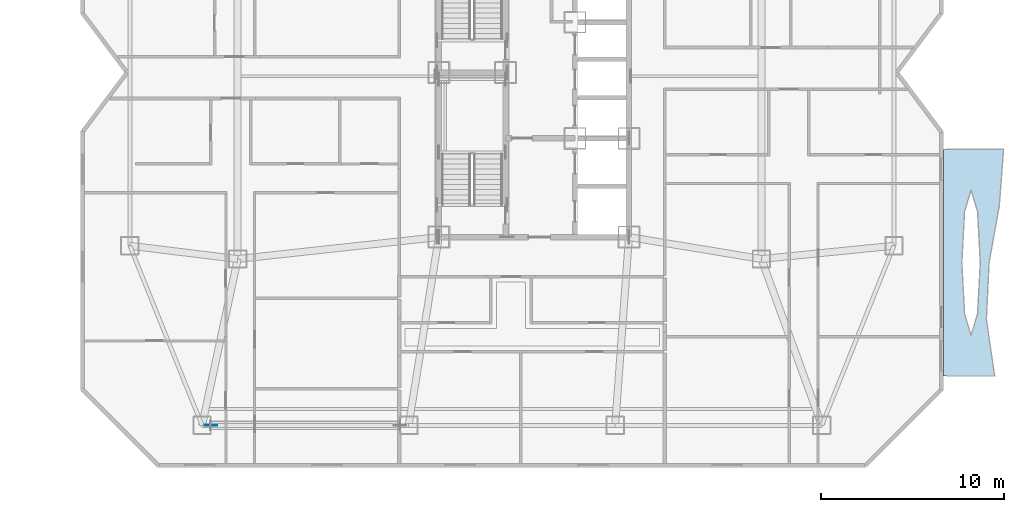
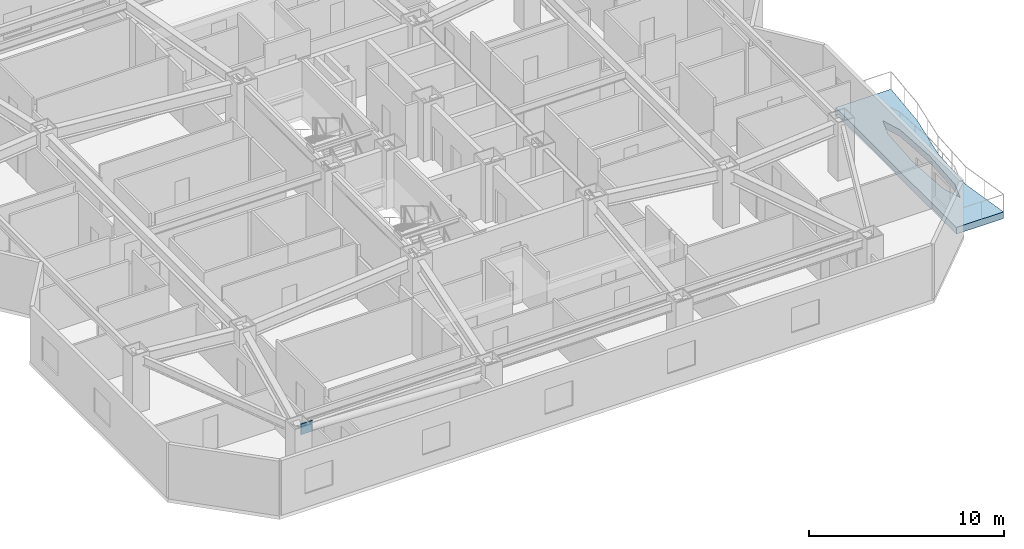
# One storey, part 4 of 15: 1 plate, 1 slab.
"""IFC4 building model written with IfcOpenShell, lengths in metres."""

from ifc_helpers import new_model, si_unit, direction, frame, origin, origin_2d, place, context, subcontext, project, spatial, polyline, rectangle, outline, extrude, material, layer, layer_set, type_object, element, save


model = new_model("IFC4")

# Units and contexts
model_context = context("Model", 3, precision=1e-05, world=origin(), true_north=direction((0.0, 1.0)))
body_context = subcontext(model_context, "Body", "Model", "MODEL_VIEW")
ifc_project = project(units=[si_unit("LENGTHUNIT", "METRE"), si_unit("AREAUNIT", "SQUARE_METRE"), si_unit("VOLUMEUNIT", "CUBIC_METRE"), si_unit("PLANEANGLEUNIT", "RADIAN"), si_unit("MASSUNIT", "GRAM", prefix="KILO")], contexts=[model_context])

# Site, building, storey
site_placement = place(None, origin())
site = spatial("IfcSite", under=ifc_project, at=site_placement, CompositionType="ELEMENT")
building_placement = place(site_placement, origin())
building = spatial("IfcBuilding", under=site, at=building_placement, Name="Khamvora Tower", CompositionType="ELEMENT")
storey_placement = place(building_placement, frame((0.0, 0.0, 101.89990234375)))
storey = spatial("IfcBuildingStorey", under=building, at=storey_placement, Name="L25", CompositionType="ELEMENT", Elevation=101.89990234375)

# Plate
ifc_material_1 = material(Name="Steel S460", Category="steel")
ifc_layer_1 = layer(ifc_material_1, 0.0400390625)
ifc_layer_set_1 = layer_set([ifc_layer_1], Name="Steel S460")
plate_type = type_object("IfcPlateType", Name="PLT-GUS-40", PredefinedType="SHEET", material=ifc_layer_set_1)
plate_placement = place(storey_placement, frame((16.530029296875, 8.699951171875, 2.80126953125), z_axis=(0.0, 0.0, 1.0), x_axis=(1.0, 0.0, 0.0)))
element("IfcPlate", 1, at=plate_placement, inside=storey, type_object=plate_type, Name="L25 brace connection node gusset plate 0178", PredefinedType="SHEET", context=body_context, shape_type="SweptSolid", body=[
    extrude(rectangle(XDim=0.679931640625, YDim=0.0400390625, at=origin_2d()), origin(), (0.0, 0.0, 1.0), 0.679931640625),
])

# Slab
ifc_material_2 = material(Name="Concrete C40/50", Category="concrete")
ifc_layer_2 = layer(ifc_material_2, 0.419921875)
ifc_layer_set_2 = layer_set([ifc_layer_2], Name="Concrete C40/50")
slab_type = type_object("IfcSlabType", Name="SLB-GRD-420", PredefinedType="FLOOR", material=ifc_layer_set_2)
slab_placement = place(storey_placement, frame((0.0, 0.0, -0.419921875)))
element("IfcSlab", 2, at=slab_placement, inside=storey, type_object=slab_type, Name="L25 external lens gallery slab EL1", PredefinedType="FLOOR", context=body_context, shape_type="SweptSolid", body=[
    extrude(outline(polyline([(59.405029296875, 11.39990234375), (58.952880859375, 14.5), (59.10107421875, 17.60009765625), (59.656982421875, 20.699951171875), (59.89306640625, 23.800048828125), (56.60009765625, 23.800048828125), (56.60009765625, 11.39990234375), (59.405029296875, 11.39990234375)]), holes=[polyline([(58.618896484375, 17.60009765625), (58.470947265625, 20.406005859375), (58.114990234375, 21.568115234375), (57.759033203125, 20.406005859375), (57.611083984375, 17.60009765625), (57.759033203125, 14.7939453125), (58.114990234375, 13.632080078125), (58.470947265625, 14.7939453125), (58.618896484375, 17.60009765625)])]), origin(), (0.0, 0.0, 1.0), 0.419921875),
])

save(model, "model.ifc")
